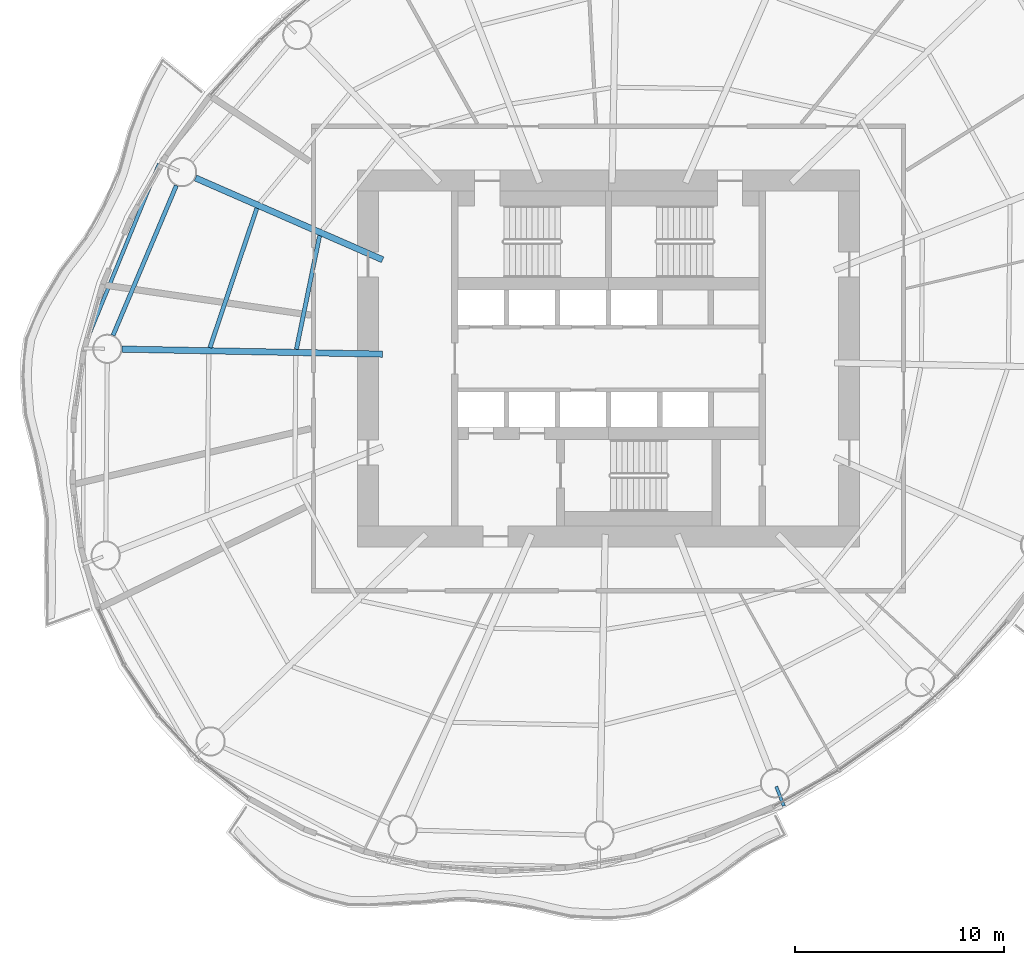
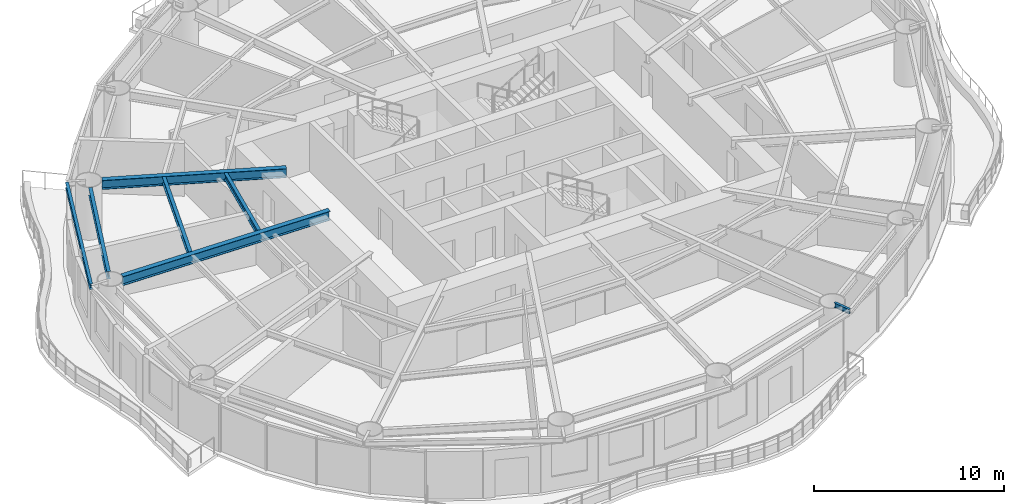
# One storey, part 3 of 14: 7 beams.
"""IFC4 building model written with IfcOpenShell, lengths in metres."""

from ifc_helpers import new_model, si_unit, direction, frame, origin, origin_2d, place, context, subcontext, project, spatial, i_section, extrude, material, material_profile, profile_set, type_object, element, save


model = new_model("IFC4")

# Units and contexts
model_context = context("Model", 3, precision=1e-05, world=origin(), true_north=direction((0.0, 1.0)))
body_context = subcontext(model_context, "Body", "Model", "MODEL_VIEW")
ifc_project = project(units=[si_unit("LENGTHUNIT", "METRE"), si_unit("AREAUNIT", "SQUARE_METRE"), si_unit("VOLUMEUNIT", "CUBIC_METRE"), si_unit("PLANEANGLEUNIT", "RADIAN"), si_unit("MASSUNIT", "GRAM", prefix="KILO")], contexts=[model_context])

# Site, building, storey
site_placement = place(None, origin())
site = spatial("IfcSite", under=ifc_project, at=site_placement, CompositionType="ELEMENT")
building_placement = place(site_placement, origin())
building = spatial("IfcBuilding", under=site, at=building_placement, Name="Vermilion Reach Broadcast Tower", CompositionType="ELEMENT")
storey_placement = place(building_placement, frame((0.0, 0.0, 186.60009765625)))
storey = spatial("IfcBuildingStorey", under=building, at=storey_placement, Name="L45", CompositionType="ELEMENT", Elevation=186.60009765625)

# Beams
ifc_material_1 = material(Name="Steel S355J2", Category="steel")
ifc_material_profile_1 = material_profile(ifc_material_1, i_section(OverallWidth=0.175048828125, OverallDepth=0.35009765625, WebThickness=0.007080078125, FlangeThickness=0.010986328125, at=origin_2d()), Name="S355J2 HN 350x175x7x11")
ifc_profile_set_1 = profile_set([ifc_material_profile_1], Name="Steel S355J2")
beam_type_1 = type_object("IfcBeamType", Name="EB3 HN 350x175x7x11", PredefinedType="BEAM", material=ifc_profile_set_1)
beam_1_placement = place(storey_placement, frame((-27.48388671875, 9.308837890625, 3.224853515625), z_axis=(-0.379107422962, -0.925352668908, 0.0), x_axis=(0.925352668908, -0.379107422962, 0.0)))
element("IfcBeam", 1, at=beam_1_placement, inside=storey, type_object=beam_type_1, Name="Edge beam EB3-06", PredefinedType="BEAM", context=body_context, shape_type="SweptSolid", body=[
    extrude(i_section(OverallWidth=0.175048828125, OverallDepth=0.35009765625, WebThickness=0.007080078125, FlangeThickness=0.010986328125, at=origin_2d()), origin(), (0.0, 0.0, 1.0), 9.453857421875),
])
ifc_material_2 = material(Name="Steel S355J2", Category="steel")
ifc_material_profile_2 = material_profile(ifc_material_2, i_section(OverallWidth=0.300048828125, OverallDepth=0.587890625, WebThickness=0.011962890625, FlangeThickness=0.02001953125, at=origin_2d()), Name="S355J2 HM 588x300x12x20")
ifc_profile_set_2 = profile_set([ifc_material_profile_2], Name="Steel S355J2")
beam_type_2 = type_object("IfcBeamType", Name="G3 HM 588x300x12x20", PredefinedType="BEAM", material=ifc_profile_set_2)
beam_2_placement = place(storey_placement, frame((-16.800048828125, 4.720703125, 3.10595703125), z_axis=(-0.916291566529, 0.400511878859, 0.0), x_axis=(-0.400511878859, -0.916291566529, 0.0)))
element("IfcBeam", 2, at=beam_2_placement, inside=storey, type_object=beam_type_2, Name="Girder G3-06", PredefinedType="BEAM", context=body_context, shape_type="SweptSolid", body=[
    extrude(i_section(OverallWidth=0.300048828125, OverallDepth=0.587890625, WebThickness=0.011962890625, FlangeThickness=0.02001953125, at=origin_2d()), origin(), (0.0, 0.0, 1.0), 9.76416015625),
])
beam_3_placement = place(storey_placement, frame((-16.800048828125, 0.209228515625, 3.10595703125), z_axis=(-0.999812275453, 0.019375599413, 0.0), x_axis=(-0.019375599413, -0.999812275453, 0.0)))
element("IfcBeam", 3, at=beam_3_placement, inside=storey, type_object=beam_type_2, Name="Girder G3-07", PredefinedType="BEAM", context=body_context, shape_type="SweptSolid", body=[
    extrude(i_section(OverallWidth=0.300048828125, OverallDepth=0.587890625, WebThickness=0.011962890625, FlangeThickness=0.02001953125, at=origin_2d()), origin(), (0.0, 0.0, 1.0), 12.4619140625),
])
ifc_material_3 = material(Name="Steel S355J2", Category="steel")
ifc_material_profile_3 = material_profile(ifc_material_3, i_section(OverallWidth=0.14990234375, OverallDepth=0.300048828125, WebThickness=0.006591796875, FlangeThickness=0.009033203125, at=origin_2d()), Name="S355J2 HN 300x150x6.5x9")
ifc_profile_set_3 = profile_set([ifc_material_profile_3], Name="Steel S355J2")
beam_type_3 = type_object("IfcBeamType", Name="GS3 HN 300x150x6.5x9", PredefinedType="BEAM", material=ifc_profile_set_3)
beam_4_placement = place(storey_placement, frame((2.01220703125, -20.455322265625, 3.25), z_axis=(0.364813627815, -0.931080564162, 0.0), x_axis=(0.931080564162, 0.364813627815, 0.0)))
element("IfcBeam", 4, at=beam_4_placement, inside=storey, type_object=beam_type_3, Name="Cantilever stub GS3-12", PredefinedType="BEAM", context=body_context, shape_type="SweptSolid", body=[
    extrude(i_section(OverallWidth=0.14990234375, OverallDepth=0.300048828125, WebThickness=0.006591796875, FlangeThickness=0.009033203125, at=origin_2d()), origin(), (0.0, 0.0, 1.0), 0.999755859375),
])
ifc_material_4 = material(Name="Steel S355J2", Category="steel")
ifc_material_profile_4 = material_profile(ifc_material_4, i_section(OverallWidth=0.199951171875, OverallDepth=0.5, WebThickness=0.010009765625, FlangeThickness=0.01611328125, at=origin_2d()), Name="S355J2 HN 500x200x10x16")
ifc_profile_set_4 = profile_set([ifc_material_profile_4], Name="Steel S355J2")
beam_type_4 = type_object("IfcBeamType", Name="RB3 HN 500x200x10x16", PredefinedType="BEAM", material=ifc_profile_set_4)
beam_5_placement = place(storey_placement, frame((-26.660888671875, 8.266845703125, 3.14990234375), z_axis=(-0.389368386196, -0.921082113512, 0.0), x_axis=(0.921082113512, -0.389368386196, 0.0)))
element("IfcBeam", 5, at=beam_5_placement, inside=storey, type_object=beam_type_4, Name="Ring beam RB3-06", PredefinedType="BEAM", context=body_context, shape_type="SweptSolid", body=[
    extrude(i_section(OverallWidth=0.199951171875, OverallDepth=0.5, WebThickness=0.010009765625, FlangeThickness=0.01611328125, at=origin_2d()), origin(), (0.0, 0.0, 1.0), 7.771240234375),
])
ifc_material_5 = material(Name="Steel S355J2", Category="steel")
ifc_material_profile_5 = material_profile(ifc_material_5, i_section(OverallWidth=0.199951171875, OverallDepth=0.39990234375, WebThickness=0.008056640625, FlangeThickness=0.012939453125, at=origin_2d()), Name="S355J2 HN 400x200x8x13")
ifc_profile_set_5 = profile_set([ifc_material_profile_5], Name="Steel S355J2")
beam_type_5 = type_object("IfcBeamType", Name="SB3 HN 400x200x8x13", PredefinedType="BEAM", material=ifc_profile_set_5)
beam_6_placement = place(storey_placement, frame((-19.81298828125, 5.8740234375, 3.199951171875), z_axis=(-0.200041931901, -0.979787336865, 0.0), x_axis=(0.979787336865, -0.200041931901, 0.0)))
element("IfcBeam", 6, at=beam_6_placement, inside=storey, type_object=beam_type_5, Name="Secondary beam SB3-06-1", PredefinedType="BEAM", context=body_context, shape_type="SweptSolid", body=[
    extrude(i_section(OverallWidth=0.199951171875, OverallDepth=0.39990234375, WebThickness=0.008056640625, FlangeThickness=0.012939453125, at=origin_2d()), origin(), (0.0, 0.0, 1.0), 5.546875),
])
beam_7_placement = place(storey_placement, frame((-22.8125, 7.18505859375, 3.199951171875), z_axis=(-0.319006870314, -0.947752402631, 0.0), x_axis=(0.947752402631, -0.319006870314, 0.0)))
element("IfcBeam", 7, at=beam_7_placement, inside=storey, type_object=beam_type_5, Name="Secondary beam SB3-06-2", PredefinedType="BEAM", context=body_context, shape_type="SweptSolid", body=[
    extrude(i_section(OverallWidth=0.199951171875, OverallDepth=0.39990234375, WebThickness=0.008056640625, FlangeThickness=0.012939453125, at=origin_2d()), origin(), (0.0, 0.0, 1.0), 7.033203125),
])

save(model, "model.ifc")
